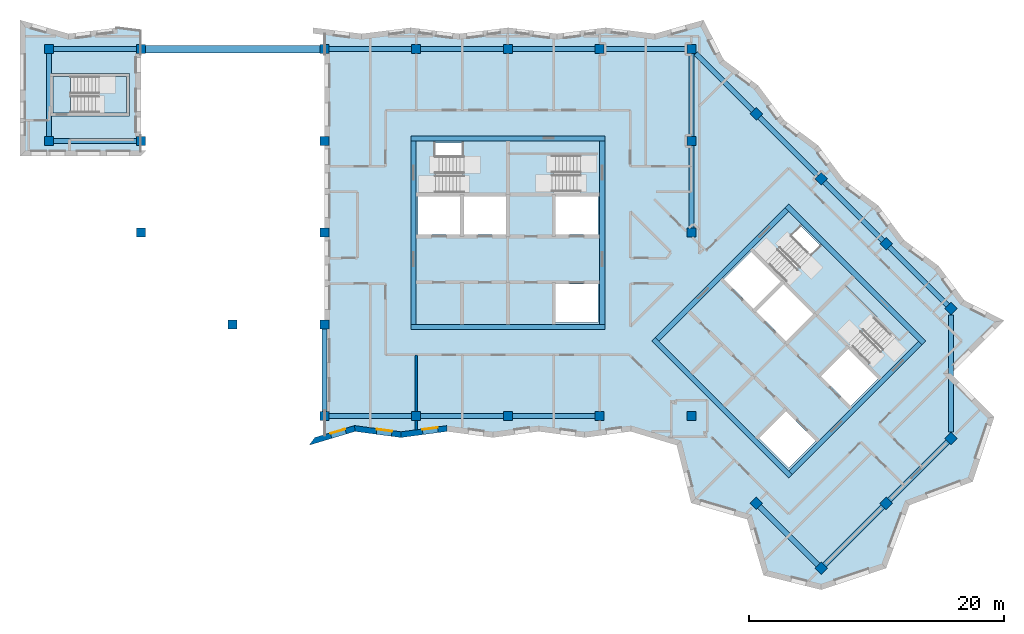
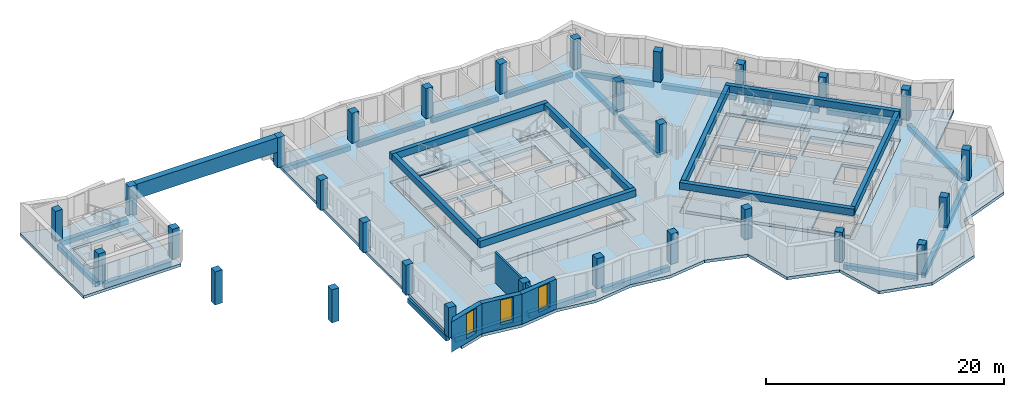
# One storey, part 1 of 13: 30 beams, 29 columns, 10 slabs, 5 walls, 3 windows, 18 openings, 5 elements without a shape of their own.
"""IFC4 building model written with IfcOpenShell, lengths in metres."""

from ifc_helpers import new_model, si_unit, direction, frame, frame_2d, origin, origin_2d, place, context, subcontext, project, spatial, polyline, rectangle, outline, extrude, material, layer, layer_set, material_profile, profile_set, type_object, element, fill, aggregate, save


model = new_model("IFC4")

# Units and contexts
model_context = context("Model", 3, precision=1e-05, world=origin(), true_north=direction((0.0, 1.0)))
body_context = subcontext(model_context, "Body", "Model", "MODEL_VIEW")
ifc_project = project(units=[si_unit("LENGTHUNIT", "METRE"), si_unit("AREAUNIT", "SQUARE_METRE"), si_unit("VOLUMEUNIT", "CUBIC_METRE"), si_unit("PLANEANGLEUNIT", "RADIAN"), si_unit("MASSUNIT", "GRAM", prefix="KILO")], contexts=[model_context])

# Site, building, storey
site_placement = place(None, origin())
site = spatial("IfcSite", under=ifc_project, at=site_placement, CompositionType="ELEMENT")
building_placement = place(site_placement, origin())
building = spatial("IfcBuilding", under=site, at=building_placement, Name="Windrow Commons", CompositionType="ELEMENT")
storey_placement = place(building_placement, frame((0.0, 0.0, 264.2)))
storey = spatial("IfcBuildingStorey", under=building, at=storey_placement, Name="L72", CompositionType="ELEMENT", Elevation=264.2)

# Columns
ifc_material_1 = material(Name="Concrete C40/50", Category="concrete")
ifc_material_profile_1 = material_profile(ifc_material_1, rectangle(XDim=0.7, YDim=0.7, at=origin_2d()))
ifc_profile_set_1 = profile_set([ifc_material_profile_1], Name="Concrete C40/50")
column_type = type_object("IfcColumnType", Name="RC COLUMN 700x700 C40/50", PredefinedType="COLUMN", material=ifc_profile_set_1)
for number, where, z_axis, x_axis, name in (
    (1, (28.8, 64.8, 0.0), (0.0, 0.0, 1.0), (1.0, 0.0, 0.0), "C-Z5-05I"),
    (2, (28.8, 72.0, 0.0), (0.0, 0.0, 1.0), (1.0, 0.0, 0.0), "C-Z5-05J"),
    (3, (36.0, 64.8, 0.0), (0.0, 0.0, 1.0), (1.0, 0.0, 0.0), "C-Z5-06I"),
    (4, (36.0, 72.0, 0.0), (0.0, 0.0, 1.0), (1.0, 0.0, 0.0), "C-Z5-06J"),
    (5, (50.4, 43.2, 0.0), (0.0, 0.0, 1.0), (1.0, 0.0, 0.0), "C-Z5-08F"),
    (6, (50.4, 50.4, 0.0), (0.0, 0.0, 1.0), (1.0, 0.0, 0.0), "C-Z5-08G"),
    (7, (50.4, 57.6, 0.0), (0.0, 0.0, 1.0), (1.0, 0.0, 0.0), "C-Z5-08H"),
    (8, (50.4, 64.8, 0.0), (0.0, 0.0, 1.0), (1.0, 0.0, 0.0), "C-Z5-08I"),
    (9, (50.4, 72.0, 0.0), (0.0, 0.0, 1.0), (1.0, 0.0, 0.0), "C-Z5-08J"),
    (10, (57.6, 43.2, 0.0), (0.0, 0.0, 1.0), (1.0, 0.0, 0.0), "C-Z5-09F"),
    (11, (57.6, 72.0, 0.0), (0.0, 0.0, 1.0), (1.0, 0.0, 0.0), "C-Z5-09J"),
    (12, (64.8, 43.2, 0.0), (0.0, 0.0, 1.0), (1.0, 0.0, 0.0), "C-Z5-10F"),
    (13, (64.8, 72.0, 0.0), (0.0, 0.0, 1.0), (1.0, 0.0, 0.0), "C-Z5-10J"),
    (14, (72.0, 43.2, 0.0), (0.0, 0.0, 1.0), (1.0, 0.0, 0.0), "C-Z5-11F"),
    (15, (72.0, 72.0, 0.0), (0.0, 0.0, 1.0), (1.0, 0.0, 0.0), "C-Z5-11J"),
    (16, (79.2, 43.2, 0.0), (0.0, 0.0, 1.0), (1.0, 0.0, 0.0), "C-Z5-12F"),
    (17, (79.2, 57.6, 0.0), (0.0, 0.0, 1.0), (1.0, 0.0, 0.0), "C-Z5-12H"),
    (18, (79.2, 64.8, 0.0), (0.0, 0.0, 1.0), (1.0, 0.0, 0.0), "C-Z5-12I"),
    (19, (79.2, 72.0, 0.0), (0.0, 0.0, 1.0), (1.0, 0.0, 0.0), "C-Z5-12J"),
    (20, (84.2912, 66.9088, 0.0), (0.0, 0.0, 1.0), (0.7071067812, -0.7071067812, 0.0), "C-Z5-P2Q"),
    (21, (89.3823, 61.8177, 0.0), (0.0, 0.0, 1.0), (0.7071067812, -0.7071067812, 0.0), "C-Z5-P3Q"),
    (22, (94.4735, 56.7265, 0.0), (0.0, 0.0, 1.0), (0.7071067812, -0.7071067812, 0.0), "C-Z5-P4Q"),
    (23, (99.5647, 51.6353, 0.0), (0.0, 0.0, 1.0), (0.7071067812, -0.7071067812, 0.0), "C-Z5-P5Q"),
    (24, (84.2912, 36.3618, 0.0), (0.0, 0.0, 1.0), (0.7071067812, -0.7071067812, 0.0), "C-Z5-P5T"),
    (25, (99.5647, 41.453, 0.0), (0.0, 0.0, 1.0), (0.7071067812, -0.7071067812, 0.0), "C-Z5-P6R"),
    (26, (94.4735, 36.3618, 0.0), (0.0, 0.0, 1.0), (0.7071067812, -0.7071067812, 0.0), "C-Z5-P6S"),
    (27, (89.3823, 31.2706, 0.0), (0.0, 0.0, 1.0), (0.7071067812, -0.7071067812, 0.0), "C-Z5-P6T"),
):
    element("IfcColumn", number, at=place(storey_placement, frame(where, z_axis=z_axis, x_axis=x_axis)), inside=storey, type_object=column_type, Name=name, PredefinedType="COLUMN", context=body_context, shape_type="SweptSolid", body=[
        extrude(rectangle(XDim=0.7, YDim=0.7, at=origin_2d()), origin(), (0.0, 0.0, 1.0), 3.1),
    ])
for number, where, z_axis, x_axis, name in (
    (28, (36.0, 57.6, -0.3), (0.0, 0.0, 1.0), (1.0, 0.0, 0.0), "C-Z5-06H"),
    (29, (43.2, 50.4, -0.3), (0.0, 0.0, 1.0), (1.0, 0.0, 0.0), "C-Z5-07G"),
):
    element("IfcColumn", number, at=place(storey_placement, frame(where, z_axis=z_axis, x_axis=x_axis)), inside=storey, type_object=column_type, Name=name, PredefinedType="COLUMN", context=body_context, shape_type="SweptSolid", body=[
        extrude(rectangle(XDim=0.7, YDim=0.7, at=origin_2d()), origin(), (0.0, 0.0, 1.0), 3.4),
    ])

# Beams
ifc_material_2 = material(Name="Concrete C40/50", Category="concrete")
ifc_material_profile_2 = material_profile(ifc_material_2, rectangle(XDim=0.4, YDim=0.7, at=origin_2d()))
ifc_profile_set_2 = profile_set([ifc_material_profile_2], Name="Concrete C40/50")
beam_type_1 = type_object("IfcBeamType", Name="RC COUPLING BEAM 400x700 C40/50", PredefinedType="LINTEL", material=ifc_profile_set_2)
for number, where, z_axis, x_axis, name in (
    (30, (57.2, 50.2, 2.75), (1.0, 0.0, 0.0), (0.0, 1.0, 0.0), "Core A coupling beam outer-S"),
    (31, (57.2, 65.0, 2.75), (1.0, 0.0, 0.0), (0.0, 1.0, 0.0), "Core A coupling beam outer-N"),
):
    element("IfcBeam", number, at=place(storey_placement, frame(where, z_axis=z_axis, x_axis=x_axis)), inside=storey, type_object=beam_type_1, Name=name, PredefinedType="LINTEL", context=body_context, shape_type="SweptSolid", body=[
        extrude(rectangle(XDim=0.4, YDim=0.7, at=origin_2d()), origin(), (0.0, 0.0, 1.0), 15.2),
    ])
for number, where, z_axis, x_axis, name in (
    (32, (57.4, 50.4, 2.75), (0.0, 1.0, 0.0), (-1.0, 0.0, 0.0), "Core A coupling beam outer-W"),
    (33, (72.2, 50.4, 2.75), (0.0, 1.0, 0.0), (-1.0, 0.0, 0.0), "Core A coupling beam outer-E"),
):
    element("IfcBeam", number, at=place(storey_placement, frame(where, z_axis=z_axis, x_axis=x_axis)), inside=storey, type_object=beam_type_1, Name=name, PredefinedType="LINTEL", context=body_context, shape_type="SweptSolid", body=[
        extrude(rectangle(XDim=0.4, YDim=0.7, at=origin_2d()), origin(), (0.0, 0.0, 1.0), 14.4),
    ])
for number, where, z_axis, x_axis, name in (
    (34, (76.2302, 49.2312, 2.75), (0.7071034917, -0.7071100706, 0.0), (0.7071100706, 0.7071034917, 0.0), "Core B coupling beam outer-S"),
    (35, (86.6953, 59.6963, 2.75), (0.7071100706, -0.7071034917, 0.0), (0.7071034917, 0.7071100706, 0.0), "Core B coupling beam outer-N"),
):
    element("IfcBeam", number, at=place(storey_placement, frame(where, z_axis=z_axis, x_axis=x_axis)), inside=storey, type_object=beam_type_1, Name=name, PredefinedType="LINTEL", context=body_context, shape_type="SweptSolid", body=[
        extrude(rectangle(XDim=0.4, YDim=0.7, at=origin_2d()), origin(), (0.0, 0.0, 1.0), 15.2),
    ])
for number, where, z_axis, x_axis, name in (
    (36, (76.513, 49.2312, 2.75), (0.7071067812, 0.7071067812, 0.0), (-0.7071067812, 0.7071067812, 0.0), "Core B coupling beam outer-W"),
    (37, (86.9782, 38.766, 2.75), (0.7071067812, 0.7071067812, 0.0), (-0.7071067812, 0.7071067812, 0.0), "Core B coupling beam outer-E"),
):
    element("IfcBeam", number, at=place(storey_placement, frame(where, z_axis=z_axis, x_axis=x_axis)), inside=storey, type_object=beam_type_1, Name=name, PredefinedType="LINTEL", context=body_context, shape_type="SweptSolid", body=[
        extrude(rectangle(XDim=0.4, YDim=0.7, at=origin_2d()), origin(), (0.0, 0.0, 1.0), 14.3999),
    ])
ifc_material_3 = material(Name="Concrete C40/50", Category="concrete")
ifc_material_profile_3 = material_profile(ifc_material_3, rectangle(XDim=0.4, YDim=0.5, at=origin_2d()))
ifc_profile_set_3 = profile_set([ifc_material_profile_3], Name="Concrete C40/50")
beam_type_2 = type_object("IfcBeamType", Name="RC EDGE BEAM 400x500 C40/50", PredefinedType="SPANDREL", material=ifc_profile_set_3)
for number, where, z_axis, x_axis, name in (
    (38, (57.25, 43.2, -0.55), (-1.0, 0.0, 0.0), (0.0, -1.0, 0.0), "Edge beam L72 001"),
    (39, (50.4, 43.55, -0.55), (0.0, 1.0, 0.0), (-1.0, 0.0, 0.0), "Edge beam L72 002"),
    (40, (35.65, 64.8, -0.55), (-1.0, 0.0, 0.0), (0.0, -1.0, 0.0), "Edge beam L72 003"),
    (41, (28.8, 65.15, -0.55), (0.0, 1.0, 0.0), (-1.0, 0.0, 0.0), "Edge beam L72 004"),
    (42, (29.15, 72.0, -0.55), (1.0, 0.0, 0.0), (0.0, 1.0, 0.0), "Edge beam L72 005"),
    (43, (50.75, 72.0, -0.55), (1.0, 0.0, 0.0), (0.0, 1.0, 0.0), "Edge beam L72 006"),
    (44, (57.95, 72.0, -0.55), (1.0, 0.0, 0.0), (0.0, 1.0, 0.0), "Edge beam L72 007"),
    (45, (65.15, 72.0, -0.55), (1.0, 0.0, 0.0), (0.0, 1.0, 0.0), "Edge beam L72 008"),
    (46, (72.35, 72.0, -0.55), (1.0, 0.0, 0.0), (0.0, 1.0, 0.0), "Edge beam L72 009"),
):
    element("IfcBeam", number, at=place(storey_placement, frame(where, z_axis=z_axis, x_axis=x_axis)), inside=storey, type_object=beam_type_2, Name=name, PredefinedType="SPANDREL", context=body_context, shape_type="SweptSolid", body=[
        extrude(rectangle(XDim=0.4, YDim=0.5, at=origin_2d()), origin(), (0.0, 0.0, 1.0), 6.5),
    ])
beam_1_placement = place(storey_placement, frame((79.55, 71.65, -0.55), z_axis=(0.7071067812, -0.7071067812, 0.0), x_axis=(0.7071067812, 0.7071067812, 0.0)))
element("IfcBeam", 47, at=beam_1_placement, inside=storey, type_object=beam_type_2, Name="Edge beam L72 010", PredefinedType="SPANDREL", context=body_context, shape_type="SweptSolid", body=[
    extrude(rectangle(XDim=0.4, YDim=0.5, at=origin_2d()), origin(), (0.0, 0.0, 1.0), 6.3551),
])
beam_2_placement = place(storey_placement, frame((84.5387, 66.6613, -0.55), z_axis=(0.7071067812, -0.7071067812, 0.0), x_axis=(0.7071067812, 0.7071067812, 0.0)))
element("IfcBeam", 48, at=beam_2_placement, inside=storey, type_object=beam_type_2, Name="Edge beam L72 011", PredefinedType="SPANDREL", context=body_context, shape_type="SweptSolid", body=[
    extrude(rectangle(XDim=0.4, YDim=0.5, at=origin_2d()), origin(), (0.0, 0.0, 1.0), 6.4999),
])
for number, where, z_axis, x_axis, name in (
    (49, (89.6298, 61.5702, -0.55), (0.7071067812, -0.7071067812, 0.0), (0.7071067812, 0.7071067812, 0.0), "Edge beam L72 012"),
    (50, (94.721, 56.479, -0.55), (0.7071067812, -0.7071067812, 0.0), (0.7071067812, 0.7071067812, 0.0), "Edge beam L72 013"),
):
    element("IfcBeam", number, at=place(storey_placement, frame(where, z_axis=z_axis, x_axis=x_axis)), inside=storey, type_object=beam_type_2, Name=name, PredefinedType="SPANDREL", context=body_context, shape_type="SweptSolid", body=[
        extrude(rectangle(XDim=0.4, YDim=0.5, at=origin_2d()), origin(), (0.0, 0.0, 1.0), 6.5),
    ])
beam_3_placement = place(storey_placement, frame((99.5647, 51.1403, -0.55), z_axis=(0.0, -1.0, 0.0), x_axis=(1.0, 0.0, 0.0)))
element("IfcBeam", 51, at=beam_3_placement, inside=storey, type_object=beam_type_2, Name="Edge beam L72 014", PredefinedType="SPANDREL", context=body_context, shape_type="SweptSolid", body=[
    extrude(rectangle(XDim=0.4, YDim=0.5, at=origin_2d()), origin(), (0.0, 0.0, 1.0), 9.1923),
])
for number, where, z_axis, x_axis, name in (
    (52, (99.3172, 41.2055, -0.55), (-0.7071067812, -0.7071067812, 0.0), (0.7071067812, -0.7071067812, 0.0), "Edge beam L72 015"),
    (53, (94.226, 36.1143, -0.55), (-0.7071067812, -0.7071067812, 0.0), (0.7071067812, -0.7071067812, 0.0), "Edge beam L72 016"),
):
    element("IfcBeam", number, at=place(storey_placement, frame(where, z_axis=z_axis, x_axis=x_axis)), inside=storey, type_object=beam_type_2, Name=name, PredefinedType="SPANDREL", context=body_context, shape_type="SweptSolid", body=[
        extrude(rectangle(XDim=0.4, YDim=0.5, at=origin_2d()), origin(), (0.0, 0.0, 1.0), 6.5),
    ])
beam_4_placement = place(storey_placement, frame((89.1348, 31.5181, -0.55), z_axis=(-0.7070990888, 0.7071144735, 0.0), x_axis=(-0.7071144735, -0.7070990888, 0.0)))
element("IfcBeam", 54, at=beam_4_placement, inside=storey, type_object=beam_type_2, Name="Edge beam L72 017", PredefinedType="SPANDREL", context=body_context, shape_type="SweptSolid", body=[
    extrude(rectangle(XDim=0.4, YDim=0.5, at=origin_2d()), origin(), (0.0, 0.0, 1.0), 6.4999),
])
for number, where, z_axis, x_axis, name in (
    (55, (71.65, 43.2, -0.55), (-1.0, 0.0, 0.0), (0.0, -1.0, 0.0), "Edge beam L72 018"),
    (56, (64.45, 43.2, -0.55), (-1.0, 0.0, 0.0), (0.0, -1.0, 0.0), "Edge beam L72 019"),
    (57, (79.2, 57.95, -0.55), (0.0, 1.0, 0.0), (-1.0, 0.0, 0.0), "Edge beam L72 020"),
    (58, (79.2, 65.15, -0.55), (0.0, 1.0, 0.0), (-1.0, 0.0, 0.0), "Edge beam L72 021"),
):
    element("IfcBeam", number, at=place(storey_placement, frame(where, z_axis=z_axis, x_axis=x_axis)), inside=storey, type_object=beam_type_2, Name=name, PredefinedType="SPANDREL", context=body_context, shape_type="SweptSolid", body=[
        extrude(rectangle(XDim=0.4, YDim=0.5, at=origin_2d()), origin(), (0.0, 0.0, 1.0), 6.5),
    ])
ifc_material_4 = material(Name="Concrete C40/50", Category="concrete")
ifc_material_profile_4 = material_profile(ifc_material_4, rectangle(XDim=0.6, YDim=1.5, at=origin_2d()))
ifc_profile_set_4 = profile_set([ifc_material_profile_4], Name="Concrete C40/50")
beam_type_3 = type_object("IfcBeamType", Name="RC EDGE BEAM 600x1500 C40/50", PredefinedType="SPANDREL", material=ifc_profile_set_4)
beam_5_placement = place(storey_placement, frame((36.35, 72.0, 2.35), z_axis=(1.0, 0.0, 0.0), x_axis=(0.0, 1.0, 0.0)))
element("IfcBeam", 59, at=beam_5_placement, inside=storey, type_object=beam_type_3, Name="Portal head beam L72 01", PredefinedType="SPANDREL", context=body_context, shape_type="SweptSolid", body=[
    extrude(rectangle(XDim=0.6, YDim=1.5, at=origin_2d()), origin(), (0.0, 0.0, 1.0), 13.7),
])

# Slab, openings
ifc_material_5 = material(Name="Concrete C40/50", Category="concrete")
ifc_layer_1 = layer(ifc_material_5, 0.3)
ifc_layer_set_1 = layer_set([ifc_layer_1], Name="CORE FLOOR SLAB 300 C40/50")
slab_type_1 = type_object("IfcSlabType", Name="CORE FLOOR SLAB 300 C40/50", PredefinedType="FLOOR", material=ifc_layer_set_1)
placement_1 = place(storey_placement, frame((0.0, 0.0, -0.3)))
slab_1 = element("IfcSlab", 60, at=placement_1, inside=storey, type_object=slab_type_1, Name="S-L72-core-A", PredefinedType="FLOOR", context=body_context, shape_type="SweptSolid", body=[
    extrude(outline(polyline([(57.6, 50.4), (72.0, 50.4), (72.0, 64.8), (57.6, 64.8), (57.6, 50.4)]), holes=[polyline([(68.55, 50.55), (71.85, 50.55), (71.85, 53.55), (68.55, 53.55), (68.55, 50.55)]), polyline([(57.75, 57.45), (61.05, 57.45), (61.05, 60.45), (57.75, 60.45), (57.75, 57.45)]), polyline([(61.35, 57.45), (64.65, 57.45), (64.65, 60.45), (61.35, 60.45), (61.35, 57.45)]), polyline([(68.55, 57.45), (71.85, 57.45), (71.85, 60.45), (68.55, 60.45), (68.55, 57.45)]), polyline([(59.1, 60.75), (64.65, 60.75), (64.65, 64.65), (59.1, 64.65), (59.1, 60.75)]), polyline([(64.95, 60.75), (70.5, 60.75), (70.5, 63.705), (64.95, 63.705), (64.95, 60.75)])]), origin(), (0.0, 0.0, 1.0), 0.3),
])
opening_1_placement = place(placement_1, origin())
element("IfcOpeningElement", 61, at=opening_1_placement, cuts=slab_1, Name="Slab opening S-L72-core-A 1", PredefinedType="OPENING", context=body_context, shape_type="SweptSolid", body=[
    extrude(outline(polyline([(68.555, 50.555), (68.555, 53.545), (71.845, 53.545), (71.845, 50.555), (68.555, 50.555)])), origin(), (0.0, 0.0, 1.0), 0.3),
])
opening_2_placement = place(placement_1, origin())
element("IfcOpeningElement", 62, at=opening_2_placement, cuts=slab_1, Name="Slab opening S-L72-core-A 2", PredefinedType="OPENING", context=body_context, shape_type="SweptSolid", body=[
    extrude(outline(polyline([(57.755, 57.455), (57.755, 60.445), (61.045, 60.445), (61.045, 57.455), (57.755, 57.455)])), origin(), (0.0, 0.0, 1.0), 0.3),
])
opening_3_placement = place(placement_1, origin())
element("IfcOpeningElement", 63, at=opening_3_placement, cuts=slab_1, Name="Slab opening S-L72-core-A 3", PredefinedType="OPENING", context=body_context, shape_type="SweptSolid", body=[
    extrude(outline(polyline([(61.355, 57.455), (61.355, 60.445), (64.645, 60.445), (64.645, 57.455), (61.355, 57.455)])), origin(), (0.0, 0.0, 1.0), 0.3),
])
opening_4_placement = place(placement_1, origin())
element("IfcOpeningElement", 64, at=opening_4_placement, cuts=slab_1, Name="Slab opening S-L72-core-A 4", PredefinedType="OPENING", context=body_context, shape_type="SweptSolid", body=[
    extrude(outline(polyline([(68.555, 57.455), (68.555, 60.445), (71.845, 60.445), (71.845, 57.455), (68.555, 57.455)])), origin(), (0.0, 0.0, 1.0), 0.3),
])
opening_5_placement = place(placement_1, origin())
element("IfcOpeningElement", 65, at=opening_5_placement, cuts=slab_1, Name="Slab opening S-L72-core-A 5", PredefinedType="OPENING", context=body_context, shape_type="SweptSolid", body=[
    extrude(outline(polyline([(59.105, 60.755), (59.105, 64.645), (64.645, 64.645), (64.645, 60.755), (59.105, 60.755)])), origin(), (0.0, 0.0, 1.0), 0.3),
])
opening_6_placement = place(placement_1, origin())
element("IfcOpeningElement", 66, at=opening_6_placement, cuts=slab_1, Name="Slab opening S-L72-core-A 6", PredefinedType="OPENING", context=body_context, shape_type="SweptSolid", body=[
    extrude(outline(polyline([(64.955, 60.755), (64.955, 63.7), (70.495, 63.7), (70.495, 60.755), (64.955, 60.755)])), origin(), (0.0, 0.0, 1.0), 0.3),
])

slab_2 = element("IfcSlab", 67, at=placement_1, inside=storey, type_object=slab_type_1, Name="S-L72-core-B", PredefinedType="FLOOR", context=body_context, shape_type="SweptSolid", body=[
    extrude(outline(polyline([(76.6544, 49.0897), (86.8368, 38.9074), (97.0191, 49.0897), (86.8368, 59.2721), (76.6544, 49.0897)]), holes=[polyline([(84.5033, 41.453), (86.8368, 39.1195), (88.9581, 41.2409), (86.6246, 43.5743), (84.5033, 41.453)]), polyline([(81.7456, 53.9688), (84.079, 51.6353), (86.2004, 53.7566), (83.8669, 56.0901), (81.7456, 53.9688)]), polyline([(84.2912, 51.4232), (86.6246, 49.0897), (88.7459, 51.2111), (86.4125, 53.5445), (84.2912, 51.4232)]), polyline([(89.3823, 46.332), (91.7158, 43.9986), (93.8371, 46.1199), (91.5037, 48.4533), (89.3823, 46.332)]), polyline([(85.0336, 55.3476), (88.9581, 51.4232), (91.7158, 54.1809), (87.7913, 58.1054), (85.0336, 55.3476)]), polyline([(89.1702, 51.2111), (93.0946, 47.2866), (95.1841, 49.3761), (91.2597, 53.3006), (89.1702, 51.2111)])]), origin(), (0.0, 0.0, 1.0), 0.3),
])
opening_7_placement = place(placement_1, origin())
element("IfcOpeningElement", 68, at=opening_7_placement, cuts=slab_2, Name="Slab opening S-L72-core-B 1", PredefinedType="OPENING", context=body_context, shape_type="SweptSolid", body=[
    extrude(outline(polyline([(84.5104, 41.453), (86.6246, 43.5672), (88.951, 41.2409), (86.8368, 39.1266), (84.5104, 41.453)])), origin(), (0.0, 0.0, 1.0), 0.3),
])
opening_8_placement = place(placement_1, origin())
element("IfcOpeningElement", 69, at=opening_8_placement, cuts=slab_2, Name="Slab opening S-L72-core-B 2", PredefinedType="OPENING", context=body_context, shape_type="SweptSolid", body=[
    extrude(outline(polyline([(81.7527, 53.9688), (83.8669, 56.083), (86.1933, 53.7566), (84.079, 51.6424), (81.7527, 53.9688)])), origin(), (0.0, 0.0, 1.0), 0.3),
])
opening_9_placement = place(placement_1, origin())
element("IfcOpeningElement", 70, at=opening_9_placement, cuts=slab_2, Name="Slab opening S-L72-core-B 3", PredefinedType="OPENING", context=body_context, shape_type="SweptSolid", body=[
    extrude(outline(polyline([(84.2983, 51.4232), (86.4125, 53.5374), (88.7388, 51.2111), (86.6246, 49.0968), (84.2983, 51.4232)])), origin(), (0.0, 0.0, 1.0), 0.3),
])
opening_10_placement = place(placement_1, origin())
element("IfcOpeningElement", 71, at=opening_10_placement, cuts=slab_2, Name="Slab opening S-L72-core-B 4", PredefinedType="OPENING", context=body_context, shape_type="SweptSolid", body=[
    extrude(outline(polyline([(89.3894, 46.332), (91.5037, 48.4462), (93.83, 46.1199), (91.7158, 44.0057), (89.3894, 46.332)])), origin(), (0.0, 0.0, 1.0), 0.3),
])
opening_11_placement = place(placement_1, origin())
element("IfcOpeningElement", 72, at=opening_11_placement, cuts=slab_2, Name="Slab opening S-L72-core-B 5", PredefinedType="OPENING", context=body_context, shape_type="SweptSolid", body=[
    extrude(outline(polyline([(85.0407, 55.3476), (87.7913, 58.0983), (91.7087, 54.1809), (88.9581, 51.4303), (85.0407, 55.3476)])), origin(), (0.0, 0.0, 1.0), 0.3),
])
opening_12_placement = place(placement_1, origin())
element("IfcOpeningElement", 73, at=opening_12_placement, cuts=slab_2, Name="Slab opening S-L72-core-B 6", PredefinedType="OPENING", context=body_context, shape_type="SweptSolid", body=[
    extrude(outline(polyline([(89.1773, 51.2111), (91.2597, 53.2935), (95.177, 49.3761), (93.0946, 47.2937), (89.1773, 51.2111)])), origin(), (0.0, 0.0, 1.0), 0.3),
])

# Slab
element("IfcSlab", 74, at=placement_1, inside=storey, type_object=slab_type_1, Name="S-L72-stub-stair", PredefinedType="FLOOR", context=body_context, shape_type="SweptSolid", body=[
    extrude(outline(polyline([(29.125, 67.0), (30.475, 67.0), (30.475, 69.85), (29.125, 69.85), (29.125, 67.0)])), origin(), (0.0, 0.0, 1.0), 0.3),
])

# Stair, slab
ifc_material_6 = material(Name="Concrete C40/50", Category="concrete")
stair_type = type_object("IfcStairType", Name="Core stair", PredefinedType="HALF_TURN_STAIR", material=ifc_material_6)
placement_2 = place(storey_placement, origin())
stair_1 = element("IfcStair", 75, at=placement_2, inside=storey, type_object=stair_type, Name="L72 Exit stair A1 core A", PredefinedType="HALF_TURN_STAIR")
ifc_material_7 = material(Name="Concrete C40/50", Category="concrete")
ifc_layer_2 = layer(ifc_material_7, 0.2)
ifc_layer_set_2 = layer_set([ifc_layer_2], Name="Core stair landing")
slab_type_2 = type_object("IfcSlabType", Name="Core stair landing", PredefinedType="LANDING", material=ifc_layer_set_2)
placement_3 = place(storey_placement, frame((0.0, 0.0, 1.5)))
slab_4 = element("IfcSlab", 76, at=placement_3, type_object=slab_type_2, Name="ST-A1 landing 1", PredefinedType="LANDING", context=body_context, shape_type="SweptSolid", body=[
    extrude(outline(polyline([(61.22, 60.5), (64.8, 60.5), (64.8, 64.9), (61.22, 64.9), (61.22, 60.5)])), origin(), (0.0, 0.0, 1.0), 0.2),
])
aggregate(stair_1, [slab_4])

stair_2 = element("IfcStair", 77, at=placement_2, inside=storey, type_object=stair_type, Name="L72 Exit stair A2 core A", PredefinedType="HALF_TURN_STAIR")
slab_5 = element("IfcSlab", 78, at=placement_3, type_object=slab_type_2, Name="ST-A2 landing 1", PredefinedType="LANDING", context=body_context, shape_type="SweptSolid", body=[
    extrude(outline(polyline([(64.8, 60.5), (68.38, 60.5), (68.38, 63.855), (64.8, 63.855), (64.8, 60.5)])), origin(), (0.0, 0.0, 1.0), 0.2),
])
aggregate(stair_2, [slab_5])

stair_3 = element("IfcStair", 79, at=placement_2, inside=storey, type_object=stair_type, Name="L72 Exit stair B1 core B", PredefinedType="HALF_TURN_STAIR")
slab_6 = element("IfcSlab", 80, at=placement_3, type_object=slab_type_2, Name="ST-B1 landing 1", PredefinedType="LANDING", context=body_context, shape_type="SweptSolid", body=[
    extrude(outline(polyline([(86.3559, 53.6718), (88.8874, 51.1403), (91.9986, 54.2516), (89.4672, 56.7831), (86.3559, 53.6718)])), origin(), (0.0, 0.0, 1.0), 0.2),
])
aggregate(stair_3, [slab_6])

stair_4 = element("IfcStair", 81, at=placement_2, inside=storey, type_object=stair_type, Name="L72 Exit stair B2 core B", PredefinedType="HALF_TURN_STAIR")
slab_7 = element("IfcSlab", 82, at=placement_3, type_object=slab_type_2, Name="ST-B2 landing 1", PredefinedType="LANDING", context=body_context, shape_type="SweptSolid", body=[
    extrude(outline(polyline([(88.8874, 51.1403), (91.4188, 48.6089), (93.7911, 50.9812), (91.2597, 53.5127), (88.8874, 51.1403)])), origin(), (0.0, 0.0, 1.0), 0.2),
])
aggregate(stair_4, [slab_7])

stair_5 = element("IfcStair", 83, at=placement_2, inside=storey, type_object=stair_type, Name="L72 Exit stair W", PredefinedType="HALF_TURN_STAIR")
slab_8 = element("IfcSlab", 84, at=placement_3, type_object=slab_type_2, Name="ST-W landing 1", PredefinedType="LANDING", context=body_context, shape_type="SweptSolid", body=[
    extrude(outline(polyline([(32.715, 67.0), (34.875, 67.0), (34.875, 69.85), (32.715, 69.85), (32.715, 67.0)])), origin(), (0.0, 0.0, 1.0), 0.2),
])
aggregate(stair_5, [slab_8])

# Slab, opening
ifc_material_8 = material(Name="Concrete C40/50", Category="concrete")
ifc_layer_3 = layer(ifc_material_8, 0.3)
ifc_layer_set_3 = layer_set([ifc_layer_3], Name="FLOOR SLAB 300 C40/50")
slab_type_3 = type_object("IfcSlabType", Name="FLOOR SLAB 300 C40/50", PredefinedType="FLOOR", material=ifc_layer_set_3)
slab_9 = element("IfcSlab", 85, at=placement_1, inside=storey, type_object=slab_type_3, Name="S-L72-floor-1", PredefinedType="FLOOR", context=body_context, shape_type="SweptSolid", body=[
    extrude(outline(polyline([(26.518, 63.6), (36.0, 63.6), (36.0, 73.4529), (34.179, 73.682), (30.3485, 73.2), (26.518, 74.282), (26.518, 63.6)]), holes=[polyline([(28.875, 66.75), (28.875, 70.1), (35.125, 70.1), (35.125, 66.75), (28.875, 66.75)])]), origin(), (0.0, 0.0, 1.0), 0.3),
])
opening_13_placement = place(placement_1, origin())
element("IfcOpeningElement", 86, at=opening_13_placement, cuts=slab_9, Name="Slab opening S-L72-floor-1 1", PredefinedType="OPENING", context=body_context, shape_type="SweptSolid", body=[
    extrude(outline(polyline([(28.88, 66.755), (28.88, 70.095), (35.12, 70.095), (35.12, 66.755), (28.88, 66.755)])), origin(), (0.0, 0.0, 1.0), 0.3),
])

# Slab, openings
slab_10 = element("IfcSlab", 87, at=placement_1, inside=storey, type_object=slab_type_3, Name="S-L72-floor-2", PredefinedType="FLOOR", context=body_context, shape_type="SweptSolid", body=[
    extrude(outline(polyline([(84.8491, 30.7126), (89.3823, 29.5736), (94.4735, 31.2706), (96.312, 36.2204), (101.2617, 38.0588), (102.9588, 43.15), (99.5647, 46.5442), (103.7239, 50.7034), (100.6009, 52.2962), (98.5839, 54.9948), (95.8852, 57.0119), (93.8682, 59.7106), (91.1695, 61.7276), (89.1525, 64.4263), (86.4538, 66.4433), (84.4367, 69.142), (81.7381, 71.159), (80.1453, 74.282), (76.3148, 73.2), (72.4842, 73.682), (68.6537, 73.2), (64.8232, 73.682), (60.9927, 73.2), (57.1622, 73.682), (53.3316, 73.2), (50.4, 73.5689), (50.4, 41.2782), (49.2, 40.918), (52.8047, 42.0), (56.4095, 41.518), (60.0142, 42.0), (63.619, 41.518), (67.2237, 42.0), (70.8284, 41.518), (74.4332, 42.0), (78.0379, 40.918), (79.1769, 36.3848), (83.5687, 35.1044), (84.8491, 30.7126)]), holes=[polyline([(86.8368, 59.8378), (97.5848, 49.0897), (86.8368, 38.3417), (76.0887, 49.0897), (86.8368, 59.8378)]), polyline([(57.2, 65.2), (72.4, 65.2), (72.4, 50.0), (57.2, 50.0), (57.2, 65.2)])]), origin(), (0.0, 0.0, 1.0), 0.3),
])
opening_14_placement = place(placement_1, origin())
element("IfcOpeningElement", 88, at=opening_14_placement, cuts=slab_10, Name="Slab opening S-L72-floor-2 1", PredefinedType="OPENING", context=body_context, shape_type="SweptSolid", body=[
    extrude(outline(polyline([(86.8368, 59.8307), (97.5777, 49.0897), (86.8368, 38.3488), (76.0958, 49.0897), (86.8368, 59.8307)])), origin(), (0.0, 0.0, 1.0), 0.3),
])
opening_15_placement = place(placement_1, origin())
element("IfcOpeningElement", 89, at=opening_15_placement, cuts=slab_10, Name="Slab opening S-L72-floor-2 2", PredefinedType="OPENING", context=body_context, shape_type="SweptSolid", body=[
    extrude(outline(polyline([(57.205, 65.195), (72.395, 65.195), (72.395, 50.005), (57.205, 50.005), (57.205, 65.195)])), origin(), (0.0, 0.0, 1.0), 0.3),
])

# Wall, opening, window
ifc_material_9 = material(Name="Brick masonry, red clay brick", Category="masonry")
ifc_layer_4 = layer(ifc_material_9, 0.45)
ifc_layer_set_4 = layer_set([ifc_layer_4], Name="Brick facade wall 450")
wall_type_1 = type_object("IfcWallType", Name="Brick facade wall 450", PredefinedType="SOLIDWALL", material=ifc_layer_set_4)
wall_1_placement = place(storey_placement, frame((49.425, 41.2205, 0.0), z_axis=(0.0, 0.0, 1.0), x_axis=(0.9577909885, 0.2874655149, 0.0)))
wall_1 = element("IfcWall", 90, at=wall_1_placement, inside=storey, type_object=wall_type_1, Name="Brick facade wall L72 38", PredefinedType="SOLIDWALL", context=body_context, shape_type="SweptSolid", body=[
    extrude(outline(polyline([(-0.3025, -0.225), (3.4612, -0.225), (3.5581, 0.225), (0.3025, 0.225), (-0.3025, -0.225)])), origin(), (0.0, 0.0, 1.0), 3.1),
])
opening_16_placement = place(wall_1_placement, frame((1.5638, 0.0, 0.45)))
opening_16 = element("IfcOpeningElement", 91, at=opening_16_placement, cuts=wall_1, Name="Opening W7F", PredefinedType="OPENING", context=body_context, shape_type="SweptSolid", body=[
    extrude(rectangle(XDim=1.2, YDim=2.55, at=frame_2d((0.6, 1.275))), frame((0.0, 0.235, 0.0), z_axis=(0.0, -1.0, 0.0), x_axis=(1.0, 0.0, 0.0)), (0.0, 0.0, 1.0), 0.47),
])
ifc_material_10 = material(Name="Clear float glass in anodised aluminium frame", Category="aluminium")
window_type = type_object("IfcWindowType", Name="Window W7 notch 1200x2550", PartitioningType="SINGLE_PANEL", PredefinedType="WINDOW", material=ifc_material_10)
window_1_placement = place(opening_16_placement, origin())
window_1 = element("IfcWindow", 92, at=window_1_placement, inside=storey, type_object=window_type, Name="Window L72 38.1", OverallHeight=2.55, OverallWidth=1.2, PartitioningType="SINGLE_PANEL", PredefinedType="WINDOW", context=body_context, shape_type="SweptSolid", body=[
    extrude(rectangle(XDim=1.2, YDim=2.55, at=frame_2d((0.6, 1.275))), frame((0.0, 0.205, 0.0), z_axis=(0.0, -1.0, 0.0), x_axis=(1.0, 0.0, 0.0)), (0.0, 0.0, 1.0), 0.06),
])
fill(opening_16, window_1)

wall_2_placement = place(storey_placement, frame((52.7865, 42.2294, 0.0), z_axis=(0.0, 0.0, 1.0), x_axis=(0.991180049, -0.1325221131, 0.0)))
wall_2 = element("IfcWall", 93, at=wall_2_placement, inside=storey, type_object=wall_type_1, Name="Brick facade wall L72 39", PredefinedType="SOLIDWALL", context=body_context, shape_type="SweptSolid", body=[
    extrude(outline(polyline([(0.0485, -0.225), (3.6853, -0.225), (3.6251, 0.225), (-0.0485, 0.225), (0.0485, -0.225)])), origin(), (0.0, 0.0, 1.0), 3.1),
])
opening_17_placement = place(wall_2_placement, frame((1.7247, 0.0, 0.45)))
opening_17 = element("IfcOpeningElement", 94, at=opening_17_placement, cuts=wall_2, Name="Opening W7F", PredefinedType="OPENING", context=body_context, shape_type="SweptSolid", body=[
    extrude(rectangle(XDim=1.2, YDim=2.55, at=frame_2d((0.6, 1.275))), frame((0.0, 0.235, 0.0), z_axis=(0.0, -1.0, 0.0), x_axis=(1.0, 0.0, 0.0)), (0.0, 0.0, 1.0), 0.47),
])
window_2_placement = place(opening_17_placement, origin())
window_2 = element("IfcWindow", 95, at=window_2_placement, inside=storey, type_object=window_type, Name="Window L72 39.1", OverallHeight=2.55, OverallWidth=1.2, PartitioningType="SINGLE_PANEL", PredefinedType="WINDOW", context=body_context, shape_type="SweptSolid", body=[
    extrude(rectangle(XDim=1.2, YDim=2.55, at=frame_2d((0.6, 1.275))), frame((0.0, 0.205, 0.0), z_axis=(0.0, -1.0, 0.0), x_axis=(1.0, 0.0, 0.0)), (0.0, 0.0, 1.0), 0.06),
])
fill(opening_17, window_2)

wall_3_placement = place(storey_placement, frame((56.4095, 41.745, 0.0), z_axis=(0.0, 0.0, 1.0), x_axis=(0.991178361, 0.132534738, 0.0)))
wall_3 = element("IfcWall", 96, at=wall_3_placement, inside=storey, type_object=wall_type_1, Name="Brick facade wall L72 40", PredefinedType="SOLIDWALL", context=body_context, shape_type="SweptSolid", body=[
    extrude(outline(polyline([(-0.0301, -0.225), (3.6067, -0.225), (3.6669, 0.225), (0.0301, 0.225), (-0.0301, -0.225)])), origin(), (0.0, 0.0, 1.0), 3.1),
])
opening_18_placement = place(wall_3_placement, frame((1.719, 0.0, 0.45)))
opening_18 = element("IfcOpeningElement", 97, at=opening_18_placement, cuts=wall_3, Name="Opening W7F", PredefinedType="OPENING", context=body_context, shape_type="SweptSolid", body=[
    extrude(rectangle(XDim=1.2, YDim=2.55, at=frame_2d((0.6, 1.275))), frame((0.0, 0.235, 0.0), z_axis=(0.0, -1.0, 0.0), x_axis=(1.0, 0.0, 0.0)), (0.0, 0.0, 1.0), 0.47),
])
window_3_placement = place(opening_18_placement, origin())
window_3 = element("IfcWindow", 98, at=window_3_placement, inside=storey, type_object=window_type, Name="Window L72 40.1", OverallHeight=2.55, OverallWidth=1.2, PartitioningType="SINGLE_PANEL", PredefinedType="WINDOW", context=body_context, shape_type="SweptSolid", body=[
    extrude(rectangle(XDim=1.2, YDim=2.55, at=frame_2d((0.6, 1.275))), frame((0.0, 0.205, 0.0), z_axis=(0.0, -1.0, 0.0), x_axis=(1.0, 0.0, 0.0)), (0.0, 0.0, 1.0), 0.06),
])
fill(opening_18, window_3)

# Walls
ifc_material_11 = material(Name="Blockwork partition", Category="masonry")
ifc_layer_5 = layer(ifc_material_11, 0.2)
ifc_layer_set_5 = layer_set([ifc_layer_5], Name="IW-PARTY-200")
wall_type_2 = type_object("IfcWallType", Name="IW-PARTY-200", PredefinedType="PARTITIONING", material=ifc_layer_set_5)
wall_4_placement = place(storey_placement, frame((57.6, 43.55, 0.0), z_axis=(0.0, 0.0, 1.0), x_axis=(0.0, 1.0, 0.0)))
element("IfcWall", 99, at=wall_4_placement, inside=storey, type_object=wall_type_2, Name="W-L72-W029", PredefinedType="PARTITIONING", context=body_context, shape_type="SweptSolid", body=[
    extrude(rectangle(XDim=4.45, YDim=0.2, at=frame_2d((2.225, 0.0))), origin(), (0.0, 0.0, 1.0), 3.1),
])
wall_5_placement = place(storey_placement, frame((57.6, 42.1312, 0.0), z_axis=(0.0, 0.0, 1.0), x_axis=(0.0, 1.0, 0.0)))
element("IfcWall", 100, at=wall_5_placement, inside=storey, type_object=wall_type_2, Name="W-L72-W087", PredefinedType="PARTITIONING", context=body_context, shape_type="SweptSolid", body=[
    extrude(rectangle(XDim=0.7188, YDim=0.2, at=frame_2d((0.3594, 0.0))), origin(), (0.0, 0.0, 1.0), 3.1),
])

save(model, "model.ifc")
